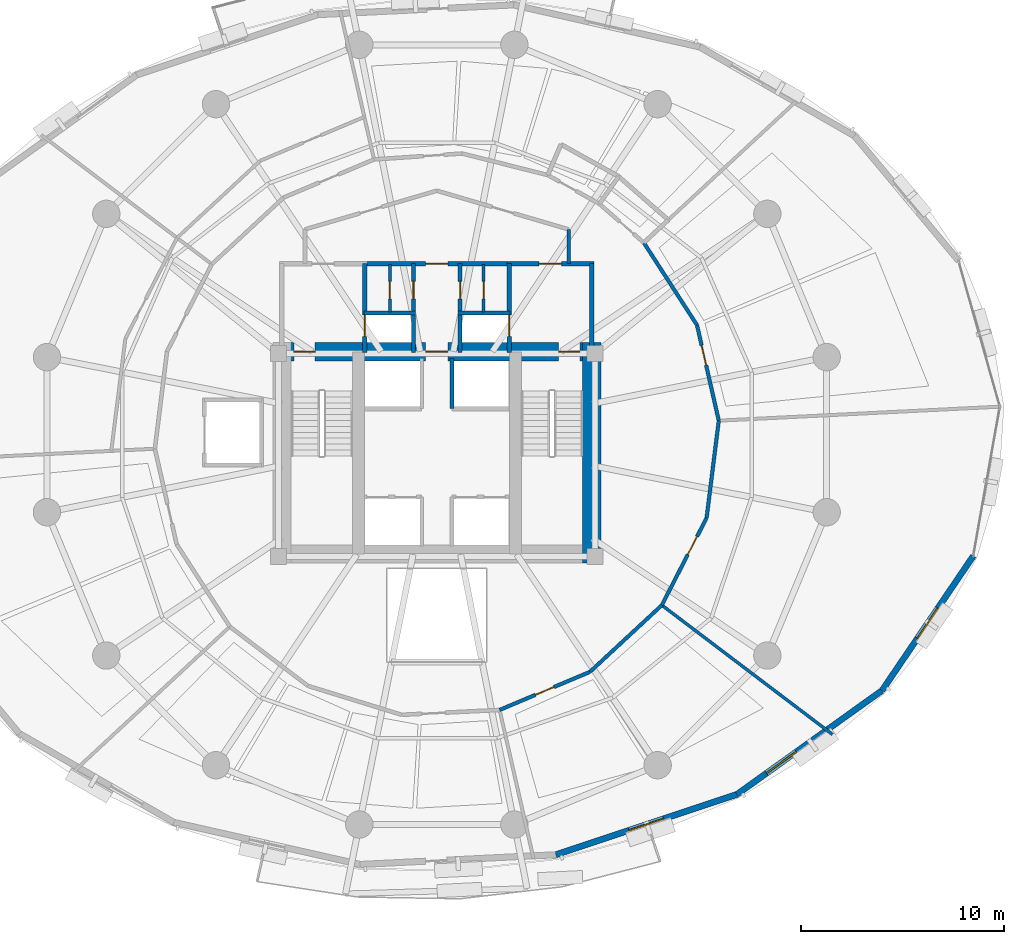
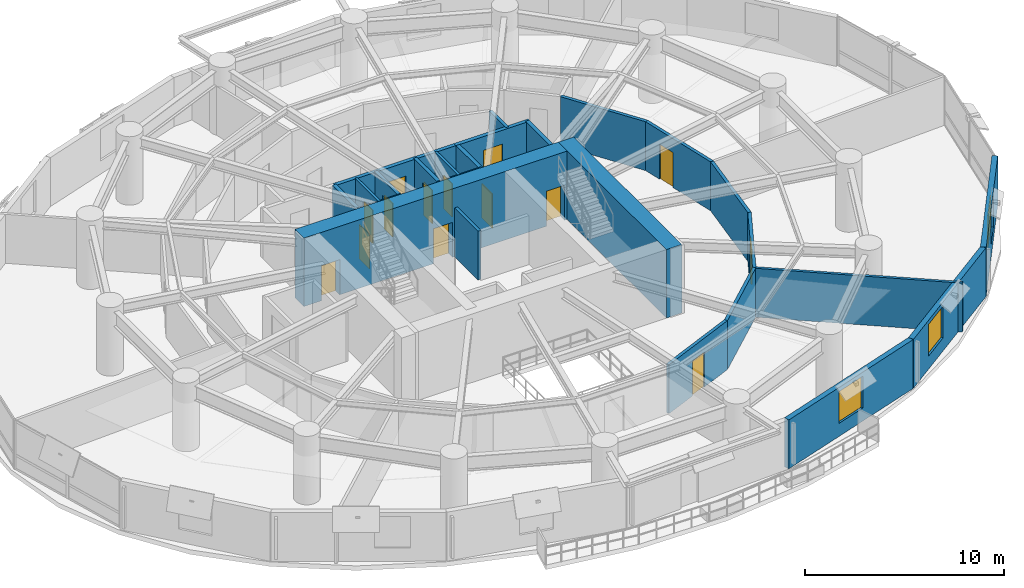
# One storey, part 11 of 16: 25 walls, 14 doors, 3 windows, 17 openings.
"""IFC4 building model written with IfcOpenShell, lengths in metres."""

from ifc_helpers import new_model, si_unit, direction, frame, frame_2d, origin, place, context, subcontext, project, spatial, rectangle, extrude, material, layer, layer_set, type_object, element, fill, save


model = new_model("IFC4")

# Units and contexts
model_context = context("Model", 3, precision=1e-05, world=origin(), true_north=direction((0.0, 1.0)))
body_context = subcontext(model_context, "Body", "Model", "MODEL_VIEW")
ifc_project = project(units=[si_unit("LENGTHUNIT", "METRE"), si_unit("AREAUNIT", "SQUARE_METRE"), si_unit("VOLUMEUNIT", "CUBIC_METRE"), si_unit("PLANEANGLEUNIT", "RADIAN"), si_unit("MASSUNIT", "GRAM", prefix="KILO"), si_unit("THERMODYNAMICTEMPERATUREUNIT", "KELVIN"), si_unit("POWERUNIT", "WATT")], contexts=[model_context])

# Site, building, storey
site_placement = place(None, origin())
site = spatial("IfcSite", under=ifc_project, at=site_placement, CompositionType="ELEMENT")
building_placement = place(site_placement, origin())
building = spatial("IfcBuilding", under=site, at=building_placement, Name="Ocrelia Relay Tower", CompositionType="ELEMENT")
storey_placement = place(building_placement, frame((0.0, 0.0, 42.60009765625)))
storey = spatial("IfcBuildingStorey", under=building, at=storey_placement, Name="L09", CompositionType="ELEMENT", Elevation=42.60009765625)

# Wall, openings, doors
ifc_material_1 = material(Name="Concrete C70/85", Category="concrete")
ifc_layer_1 = layer(ifc_material_1, 0.89990234375, Name="Concrete C70/85")
ifc_layer_set_1 = layer_set([ifc_layer_1], Name="Concrete C70/85")
wall_type_1 = type_object("IfcWallType", Name="CW-CORE-900", PredefinedType="SHEAR", material=ifc_layer_set_1)
wall_1_placement = place(storey_placement, frame((25.922119140625, 30.087890625, 0.0), z_axis=(0.0, 0.0, 1.0), x_axis=(1.0, 0.0, 0.0)))
wall_1 = element("IfcWall", 1, at=wall_1_placement, inside=storey, type_object=wall_type_1, Name="L09 Core Shear Wall N", PredefinedType="SHEAR", context=body_context, shape_type="SweptSolid", body=[
    extrude(rectangle(XDim=16.165771484375, YDim=0.89990234375, at=frame_2d((8.0830078125, 0.0))), origin(), (0.0, 0.0, 1.0), 4.199951171875),
])
opening_1_placement = place(wall_1_placement, frame((1.028076171875, 0.0, 0.0)))
opening_1 = element("IfcOpeningElement", 2, at=opening_1_placement, cuts=wall_1, Name="Opening D-FD90", PredefinedType="OPENING", context=body_context, shape_type="SweptSolid", body=[
    extrude(rectangle(XDim=1.050048828125, YDim=2.14990234375, at=frame_2d((0.52490234375, 1.074951171875))), frame((0.0, 0.4599609375, 0.0), z_axis=(0.0, -1.0, 0.0), x_axis=(1.0, 0.0, 0.0)), (0.0, 0.0, 1.0), 0.919921875),
])
opening_2_placement = place(wall_1_placement, frame((14.077880859375, 0.0, 0.0)))
opening_2 = element("IfcOpeningElement", 3, at=opening_2_placement, cuts=wall_1, Name="Opening D-FD90", PredefinedType="OPENING", context=body_context, shape_type="SweptSolid", body=[
    extrude(rectangle(XDim=1.050048828125, YDim=2.14990234375, at=frame_2d((0.52490234375, 1.074951171875))), frame((0.0, 0.4599609375, 0.0), z_axis=(0.0, -1.0, 0.0), x_axis=(1.0, 0.0, 0.0)), (0.0, 0.0, 1.0), 0.919921875),
])
opening_3_placement = place(wall_1_placement, frame((7.528076171875, 0.0, 0.0)))
opening_3 = element("IfcOpeningElement", 4, at=opening_3_placement, cuts=wall_1, Name="Opening D-FD60", PredefinedType="OPENING", context=body_context, shape_type="SweptSolid", body=[
    extrude(rectangle(XDim=1.10009765625, YDim=2.14990234375, at=frame_2d((0.550048828125, 1.074951171875))), frame((0.0, 0.4599609375, 0.0), z_axis=(0.0, -1.0, 0.0), x_axis=(1.0, 0.0, 0.0)), (0.0, 0.0, 1.0), 0.919921875),
])
ifc_material_2 = material(Name="Timber-core 60-min acoustic fire door", Category="wood")
door_type_1 = type_object("IfcDoorType", Name="DR-LOBBY-FD60-1100", OperationType="NOTDEFINED", PredefinedType="DOOR", material=ifc_material_2)
door_1_placement = place(opening_3_placement, origin())
door_1 = element("IfcDoor", 5, at=door_1_placement, inside=storey, type_object=door_type_1, Name="L09 Core Lift Lobby North Fire Door", OperationType="SINGLE_SWING_RIGHT", OverallHeight=2.14990234375, OverallWidth=1.10009765625, PredefinedType="DOOR", context=body_context, shape_type="SweptSolid", body=[
    extrude(rectangle(XDim=1.10009765625, YDim=2.14990234375, at=frame_2d((0.550048828125, 1.074951171875))), frame((0.0, 0.02490234375, 0.0), z_axis=(0.0, -1.0, 0.0), x_axis=(1.0, 0.0, 0.0)), (0.0, 0.0, 1.0), 0.050048828125),
])
fill(opening_3, door_1)
ifc_material_3 = material(Name="Steel S355 90-min fire door", Category="steel")
door_type_2 = type_object("IfcDoorType", Name="DR-STAIR-FD90-1050", OperationType="NOTDEFINED", PredefinedType="DOOR", material=ifc_material_3)
door_2_placement = place(opening_1_placement, origin())
door_2 = element("IfcDoor", 6, at=door_2_placement, inside=storey, type_object=door_type_2, Name="L09 Stair ST1 Fire Door", OperationType="SINGLE_SWING_RIGHT", OverallHeight=2.14990234375, OverallWidth=1.050048828125, PredefinedType="DOOR", context=body_context, shape_type="SweptSolid", body=[
    extrude(rectangle(XDim=1.050048828125, YDim=2.14990234375, at=frame_2d((0.52490234375, 1.074951171875))), frame((0.0, 0.02490234375, 0.0), z_axis=(0.0, -1.0, 0.0), x_axis=(1.0, 0.0, 0.0)), (0.0, 0.0, 1.0), 0.050048828125),
])
fill(opening_1, door_2)
door_3_placement = place(opening_2_placement, origin())
door_3 = element("IfcDoor", 7, at=door_3_placement, inside=storey, type_object=door_type_2, Name="L09 Stair ST2 Fire Door", OperationType="SINGLE_SWING_LEFT", OverallHeight=2.14990234375, OverallWidth=1.050048828125, PredefinedType="DOOR", context=body_context, shape_type="SweptSolid", body=[
    extrude(rectangle(XDim=1.050048828125, YDim=2.14990234375, at=frame_2d((0.52490234375, 1.074951171875))), frame((0.0, 0.02490234375, 0.0), z_axis=(0.0, -1.0, 0.0), x_axis=(1.0, 0.0, 0.0)), (0.0, 0.0, 1.0), 0.050048828125),
])
fill(opening_2, door_3)

# Walls
wall_2_placement = place(storey_placement, frame((41.637939453125, 19.662109375, 0.0), z_axis=(0.0, 0.0, 1.0), x_axis=(0.0, 1.0, 0.0)))
element("IfcWall", 8, at=wall_2_placement, inside=storey, type_object=wall_type_1, Name="L09 Core Shear Wall E", PredefinedType="SHEAR", context=body_context, shape_type="SweptSolid", body=[
    extrude(rectangle(XDim=10.8759765625, YDim=0.89990234375, at=frame_2d((5.43798828125, 0.0))), origin(), (0.0, 0.0, 1.0), 4.199951171875),
])
ifc_material_4 = material(Name="Gypsum Fireboard Partition EI60", Category="gypsum")
ifc_layer_2 = layer(ifc_material_4, 0.179931640625, Name="Gypsum Fireboard Partition EI60")
ifc_layer_set_2 = layer_set([ifc_layer_2], Name="Gypsum Fireboard Partition EI60")
wall_type_2 = type_object("IfcWallType", Name="W-CORR-EI60-180", PredefinedType="PARTITIONING", material=ifc_layer_set_2)
wall_3_placement = place(storey_placement, frame((40.5, 36.122802734375, 0.0), z_axis=(0.0, 0.0, 1.0), x_axis=(0.0, -1.0, 0.0)))
element("IfcWall", 9, at=wall_3_placement, inside=storey, type_object=wall_type_2, Name="L09 Smoke Lobby East Return", PredefinedType="PARTITIONING", context=body_context, shape_type="SweptSolid", body=[
    extrude(rectangle(XDim=1.69287109375, YDim=0.179931640625, at=frame_2d((0.846435546875, 0.0))), origin(), (0.0, 0.0, 1.0), 3.0),
])

# Wall, opening, door
wall_4_placement = place(storey_placement, frame((37.095703125, 12.4287109375, 0.0), z_axis=(0.0, 0.0, 1.0), x_axis=(0.921533629475, 0.388298557488, 0.0)))
wall_4 = element("IfcWall", 10, at=wall_4_placement, inside=storey, type_object=wall_type_2, Name="L09 Monitoring Office E Corridor Partition 1", PredefinedType="PARTITIONING", context=body_context, shape_type="SweptSolid", body=[
    extrude(rectangle(XDim=4.83447265625, YDim=0.179931640625, at=frame_2d((2.417236328125, 0.0))), origin(), (0.0, 0.0, 1.0), 3.0),
])
opening_4_placement = place(wall_4_placement, frame((1.917236328125, 0.0, 0.0)))
opening_4 = element("IfcOpeningElement", 11, at=opening_4_placement, cuts=wall_4, Name="Opening D-RM100", PredefinedType="OPENING", context=body_context, shape_type="SweptSolid", body=[
    extrude(rectangle(XDim=1.0, YDim=2.14990234375, at=frame_2d((0.5, 1.074951171875))), frame((0.0, 0.10009765625, 0.0), z_axis=(0.0, -1.0, 0.0), x_axis=(1.0, 0.0, 0.0)), (0.0, 0.0, 1.0), 0.199951171875),
])
ifc_material_5 = material(Name="Acoustic oak veneer fire door", Category="wood")
door_type_3 = type_object("IfcDoorType", Name="DR-ROOM-FD60-1000", OperationType="NOTDEFINED", PredefinedType="DOOR", material=ifc_material_5)
door_4_placement = place(opening_4_placement, origin())
door_4 = element("IfcDoor", 12, at=door_4_placement, inside=storey, type_object=door_type_3, Name="L09 Monitoring Office E Entrance Door", OperationType="SINGLE_SWING_LEFT", OverallHeight=2.14990234375, OverallWidth=1.0, PredefinedType="DOOR", context=body_context, shape_type="SweptSolid", body=[
    extrude(rectangle(XDim=1.0, YDim=2.14990234375, at=frame_2d((0.5, 1.074951171875))), frame((0.0, 0.02490234375, 0.0), z_axis=(0.0, -1.0, 0.0), x_axis=(1.0, 0.0, 0.0)), (0.0, 0.0, 1.0), 0.050048828125),
])
fill(opening_4, door_4)

# Wall
wall_5_placement = place(storey_placement, frame((41.55078125, 14.305908203125, 0.0), z_axis=(0.0, 0.0, 1.0), x_axis=(0.733122561519, 0.680096544464, 0.0)))
element("IfcWall", 13, at=wall_5_placement, inside=storey, type_object=wall_type_2, Name="L09 Monitoring Office E Corridor Partition 2", PredefinedType="PARTITIONING", context=body_context, shape_type="SweptSolid", body=[
    extrude(rectangle(XDim=4.83447265625, YDim=0.179931640625, at=frame_2d((2.417236328125, 0.0))), origin(), (0.0, 0.0, 1.0), 3.0),
])

# Wall, opening, door
wall_6_placement = place(storey_placement, frame((45.094970703125, 17.59375, 0.0), z_axis=(0.0, 0.0, 1.0), x_axis=(0.45634125461, 0.889804843402, 0.0)))
wall_6 = element("IfcWall", 14, at=wall_6_placement, inside=storey, type_object=wall_type_2, Name="L09 Fiber Patch Store Corridor Partition 1", PredefinedType="PARTITIONING", context=body_context, shape_type="SweptSolid", body=[
    extrude(rectangle(XDim=4.834228515625, YDim=0.179931640625, at=frame_2d((2.4169921875, 0.0))), origin(), (0.0, 0.0, 1.0), 3.0),
])
opening_5_placement = place(wall_6_placement, frame((2.80078125, 0.0, 0.0)))
opening_5 = element("IfcOpeningElement", 15, at=opening_5_placement, cuts=wall_6, Name="Opening D-RM100", PredefinedType="OPENING", context=body_context, shape_type="SweptSolid", body=[
    extrude(rectangle(XDim=1.0, YDim=2.14990234375, at=frame_2d((0.5, 1.074951171875))), frame((0.0, 0.10009765625, 0.0), z_axis=(0.0, -1.0, 0.0), x_axis=(1.0, 0.0, 0.0)), (0.0, 0.0, 1.0), 0.199951171875),
])
door_5_placement = place(opening_5_placement, origin())
door_5 = element("IfcDoor", 16, at=door_5_placement, inside=storey, type_object=door_type_3, Name="L09 Fiber Patch Store Entrance Door", OperationType="SINGLE_SWING_RIGHT", OverallHeight=2.14990234375, OverallWidth=1.0, PredefinedType="DOOR", context=body_context, shape_type="SweptSolid", body=[
    extrude(rectangle(XDim=1.0, YDim=2.14990234375, at=frame_2d((0.5, 1.074951171875))), frame((0.0, 0.02490234375, 0.0), z_axis=(0.0, -1.0, 0.0), x_axis=(1.0, 0.0, 0.0)), (0.0, 0.0, 1.0), 0.050048828125),
])
fill(opening_5, door_5)

# Wall
wall_7_placement = place(storey_placement, frame((47.301025390625, 21.895263671875, 0.0), z_axis=(0.0, 0.0, 1.0), x_axis=(0.124482228692, 0.992221837464, 0.0)))
element("IfcWall", 17, at=wall_7_placement, inside=storey, type_object=wall_type_2, Name="L09 Fiber Patch Store Corridor Partition 2", PredefinedType="PARTITIONING", context=body_context, shape_type="SweptSolid", body=[
    extrude(rectangle(XDim=4.83447265625, YDim=0.179931640625, at=frame_2d((2.417236328125, 0.0))), origin(), (0.0, 0.0, 1.0), 3.0),
])

# Wall, opening, door
wall_8_placement = place(storey_placement, frame((47.90283203125, 26.692138671875, 0.0), z_axis=(0.0, 0.0, 1.0), x_axis=(-0.222402444604, 0.974954949028, 0.0)))
wall_8 = element("IfcWall", 18, at=wall_8_placement, inside=storey, type_object=wall_type_2, Name="L09 Shift Staff Lounge Corridor Partition 1", PredefinedType="PARTITIONING", context=body_context, shape_type="SweptSolid", body=[
    extrude(rectangle(XDim=4.83447265625, YDim=0.179931640625, at=frame_2d((2.417236328125, 0.0))), origin(), (0.0, 0.0, 1.0), 3.0),
])
opening_6_placement = place(wall_8_placement, frame((2.80078125, 0.0, 0.0)))
opening_6 = element("IfcOpeningElement", 19, at=opening_6_placement, cuts=wall_8, Name="Opening D-RM100", PredefinedType="OPENING", context=body_context, shape_type="SweptSolid", body=[
    extrude(rectangle(XDim=1.0, YDim=2.14990234375, at=frame_2d((0.5, 1.074951171875))), frame((0.0, 0.10009765625, 0.0), z_axis=(0.0, -1.0, 0.0), x_axis=(1.0, 0.0, 0.0)), (0.0, 0.0, 1.0), 0.199951171875),
])
door_6_placement = place(opening_6_placement, origin())
door_6 = element("IfcDoor", 20, at=door_6_placement, inside=storey, type_object=door_type_3, Name="L09 Shift Staff Lounge Entrance Door", OperationType="SINGLE_SWING_LEFT", OverallHeight=2.14990234375, OverallWidth=1.0, PredefinedType="DOOR", context=body_context, shape_type="SweptSolid", body=[
    extrude(rectangle(XDim=1.0, YDim=2.14990234375, at=frame_2d((0.5, 1.074951171875))), frame((0.0, 0.02490234375, 0.0), z_axis=(0.0, -1.0, 0.0), x_axis=(1.0, 0.0, 0.0)), (0.0, 0.0, 1.0), 0.050048828125),
])
fill(opening_6, door_6)

# Wall
wall_9_placement = place(storey_placement, frame((46.82763671875, 31.405517578125, 0.0), z_axis=(0.0, 0.0, 1.0), x_axis=(-0.542438562589, 0.840095474227, 0.0)))
element("IfcWall", 21, at=wall_9_placement, inside=storey, type_object=wall_type_2, Name="L09 Shift Staff Lounge Corridor Partition 2", PredefinedType="PARTITIONING", context=body_context, shape_type="SweptSolid", body=[
    extrude(rectangle(XDim=4.834228515625, YDim=0.179931640625, at=frame_2d((2.4169921875, 0.0))), origin(), (0.0, 0.0, 1.0), 3.0),
])

# Wall, opening, window
ifc_material_6 = material(Name="Precast concrete C40/50 with oxide terracotta", Category="masonry")
ifc_layer_3 = layer(ifc_material_6, 0.300048828125, Name="Precast concrete C40/50 with oxide terracotta")
ifc_layer_set_3 = layer_set([ifc_layer_3], Name="Precast concrete C40/50 with oxide terracotta")
wall_type_3 = type_object("IfcWallType", Name="W-EXT-TERR-300", PredefinedType="SOLIDWALL", material=ifc_layer_set_3)
wall_10_placement = place(storey_placement, frame((39.864501953125, 5.28955078125, 0.0), z_axis=(0.0, 0.0, 1.0), x_axis=(0.948698849343, 0.316181108314, 0.0)))
wall_10 = element("IfcWall", 22, at=wall_10_placement, inside=storey, type_object=wall_type_3, Name="L09 Oxide Terracotta Facade Wall 15", PredefinedType="SOLIDWALL", context=body_context, shape_type="SweptSolid", body=[
    extrude(rectangle(XDim=9.418701171875, YDim=0.300048828125, at=frame_2d((4.70947265625, 0.0))), origin(), (0.0, 0.0, 1.0), 3.0),
])
opening_7_placement = place(wall_10_placement, frame((3.80908203125, 0.0, 0.800048828125)))
opening_7 = element("IfcOpeningElement", 23, at=opening_7_placement, cuts=wall_10, Name="Opening W-02", PredefinedType="OPENING", context=body_context, shape_type="SweptSolid", body=[
    extrude(rectangle(XDim=1.800048828125, YDim=1.949951171875, at=frame_2d((0.89990234375, 0.97509765625))), frame((0.0, 0.16015625, 0.0), z_axis=(0.0, -1.0, 0.0), x_axis=(1.0, 0.0, 0.0)), (0.0, 0.0, 1.0), 0.320068359375),
])
ifc_material_7 = material(Name="Clear double-glazed low-E glass", Category="glass")
window_type = type_object("IfcWindowType", Name="WIN-Z1-1800x2100", PartitioningType="DOUBLE_PANEL_VERTICAL", PredefinedType="WINDOW", material=ifc_material_7)
window_1_placement = place(opening_7_placement, origin())
window_1 = element("IfcWindow", 24, at=window_1_placement, inside=storey, type_object=window_type, Name="L09 Facade Module Window 15", OverallHeight=1.949951171875, OverallWidth=1.800048828125, PartitioningType="SINGLE_PANEL", PredefinedType="WINDOW", context=body_context, shape_type="SweptSolid", body=[
    extrude(rectangle(XDim=1.800048828125, YDim=1.949951171875, at=frame_2d((0.89990234375, 0.97509765625))), frame((0.0, 0.030029296875, 0.0), z_axis=(0.0, -1.0, 0.0), x_axis=(1.0, 0.0, 0.0)), (0.0, 0.0, 1.0), 0.06005859375),
])
fill(opening_7, window_1)

wall_11_placement = place(storey_placement, frame((48.800048828125, 8.267578125, 0.0), z_axis=(0.0, 0.0, 1.0), x_axis=(0.813220978615, 0.581955015392, 0.0)))
wall_11 = element("IfcWall", 25, at=wall_11_placement, inside=storey, type_object=wall_type_3, Name="L09 Oxide Terracotta Facade Wall 16", PredefinedType="SOLIDWALL", context=body_context, shape_type="SweptSolid", body=[
    extrude(rectangle(XDim=8.792724609375, YDim=0.300048828125, at=frame_2d((4.396484375, 0.0))), origin(), (0.0, 0.0, 1.0), 3.0),
])
opening_8_placement = place(wall_11_placement, frame((1.7900390625, 0.0, 0.800048828125)))
opening_8 = element("IfcOpeningElement", 26, at=opening_8_placement, cuts=wall_11, Name="Opening W-02", PredefinedType="OPENING", context=body_context, shape_type="SweptSolid", body=[
    extrude(rectangle(XDim=1.800048828125, YDim=1.949951171875, at=frame_2d((0.89990234375, 0.97509765625))), frame((0.0, 0.16015625, 0.0), z_axis=(0.0, -1.0, 0.0), x_axis=(1.0, 0.0, 0.0)), (0.0, 0.0, 1.0), 0.320068359375),
])
window_2_placement = place(opening_8_placement, origin())
window_2 = element("IfcWindow", 27, at=window_2_placement, inside=storey, type_object=window_type, Name="L09 Facade Module Window 16", OverallHeight=1.949951171875, OverallWidth=1.800048828125, PartitioningType="SINGLE_PANEL", PredefinedType="WINDOW", context=body_context, shape_type="SweptSolid", body=[
    extrude(rectangle(XDim=1.800048828125, YDim=1.949951171875, at=frame_2d((0.89990234375, 0.97509765625))), frame((0.0, 0.030029296875, 0.0), z_axis=(0.0, -1.0, 0.0), x_axis=(1.0, 0.0, 0.0)), (0.0, 0.0, 1.0), 0.06005859375),
])
fill(opening_8, window_2)

wall_12_placement = place(storey_placement, frame((55.950439453125, 13.384521484375, 0.0), z_axis=(0.0, 0.0, 1.0), x_axis=(0.561354786865, 0.827575255348, 0.0)))
wall_12 = element("IfcWall", 28, at=wall_12_placement, inside=storey, type_object=wall_type_3, Name="L09 Oxide Terracotta Facade Wall 17", PredefinedType="SOLIDWALL", context=body_context, shape_type="SweptSolid", body=[
    extrude(rectangle(XDim=8.021484375, YDim=0.300048828125, at=frame_2d((4.0107421875, 0.0))), origin(), (0.0, 0.0, 1.0), 3.0),
])
opening_9_placement = place(wall_12_placement, frame((3.111083984375, 0.0, 0.800048828125)))
opening_9 = element("IfcOpeningElement", 29, at=opening_9_placement, cuts=wall_12, Name="Opening W-02", PredefinedType="OPENING", context=body_context, shape_type="SweptSolid", body=[
    extrude(rectangle(XDim=1.800048828125, YDim=1.949951171875, at=frame_2d((0.89990234375, 0.97509765625))), frame((0.0, 0.16015625, 0.0), z_axis=(0.0, -1.0, 0.0), x_axis=(1.0, 0.0, 0.0)), (0.0, 0.0, 1.0), 0.320068359375),
])
window_3_placement = place(opening_9_placement, origin())
window_3 = element("IfcWindow", 30, at=window_3_placement, inside=storey, type_object=window_type, Name="L09 Facade Module Window 17", OverallHeight=1.949951171875, OverallWidth=1.800048828125, PartitioningType="SINGLE_PANEL", PredefinedType="WINDOW", context=body_context, shape_type="SweptSolid", body=[
    extrude(rectangle(XDim=1.800048828125, YDim=1.949951171875, at=frame_2d((0.89990234375, 0.97509765625))), frame((0.0, 0.030029296875, 0.0), z_axis=(0.0, -1.0, 0.0), x_axis=(1.0, 0.0, 0.0)), (0.0, 0.0, 1.0), 0.06005859375),
])
fill(opening_9, window_3)

# Wall, opening, door
ifc_material_8 = material(Name="Concrete C50/60", Category="concrete")
ifc_layer_4 = layer(ifc_material_8, 0.219970703125, Name="Concrete C50/60")
ifc_layer_set_4 = layer_set([ifc_layer_4], Name="Concrete C50/60")
wall_type_4 = type_object("IfcWallType", Name="W-FFL-EI120-220", PredefinedType="SOLIDWALL", material=ifc_layer_set_4)
wall_13_placement = place(storey_placement, frame((30.43994140625, 30.050048828125, 0.0), z_axis=(0.0, 0.0, 1.0), x_axis=(0.0, 1.0, 0.0)))
wall_13 = element("IfcWall", 31, at=wall_13_placement, inside=storey, type_object=wall_type_4, Name="L09 W Fire Service Lift Lobby East Wall", PredefinedType="SOLIDWALL", context=body_context, shape_type="SweptSolid", body=[
    extrude(rectangle(XDim=4.3798828125, YDim=0.219970703125, at=frame_2d((2.18994140625, 0.0))), origin(), (0.0, 0.0, 1.0), 3.0),
])
opening_10_placement = place(wall_13_placement, frame((0.800048828125, 0.0, 0.0)))
opening_10 = element("IfcOpeningElement", 32, at=opening_10_placement, cuts=wall_13, Name="Opening LD-FFL1", PredefinedType="OPENING", context=body_context, shape_type="SweptSolid", body=[
    extrude(rectangle(XDim=1.050048828125, YDim=2.10009765625, at=frame_2d((0.52490234375, 1.050048828125))), frame((0.0, 0.1201171875, 0.0), z_axis=(0.0, -1.0, 0.0), x_axis=(1.0, 0.0, 0.0)), (0.0, 0.0, 1.0), 0.239990234375),
])
ifc_material_9 = material(Name="Brushed stainless steel S355 lift landing door", Category="steel")
door_type_4 = type_object("IfcDoorType", Name="DR-LIFT-LAND-1050", OperationType="DOUBLE_DOOR_SLIDING", PredefinedType="USERDEFINED", material=ifc_material_9)
door_7_placement = place(opening_10_placement, origin())
door_7 = element("IfcDoor", 33, at=door_7_placement, inside=storey, type_object=door_type_4, Name="L09 Firefighting Lift FFL1 Sliding Landing Door", ObjectType="LANDING DOOR", OperationType="DOUBLE_DOOR_SLIDING", OverallHeight=2.10009765625, OverallWidth=1.050048828125, PredefinedType="USERDEFINED", context=body_context, shape_type="SweptSolid", body=[
    extrude(rectangle(XDim=1.050048828125, YDim=2.10009765625, at=frame_2d((0.52490234375, 1.050048828125))), frame((0.0, 0.02490234375, 0.0), z_axis=(0.0, -1.0, 0.0), x_axis=(1.0, 0.0, 0.0)), (0.0, 0.0, 1.0), 0.050048828125),
])
fill(opening_10, door_7)

wall_14_placement = place(storey_placement, frame((37.56005859375, 30.050048828125, 0.0), z_axis=(0.0, 0.0, 1.0), x_axis=(0.0, 1.0, 0.0)))
wall_14 = element("IfcWall", 34, at=wall_14_placement, inside=storey, type_object=wall_type_4, Name="L09 E Fire Service Lift Lobby West Wall", PredefinedType="SOLIDWALL", context=body_context, shape_type="SweptSolid", body=[
    extrude(rectangle(XDim=4.3798828125, YDim=0.219970703125, at=frame_2d((2.18994140625, 0.0))), origin(), (0.0, 0.0, 1.0), 3.0),
])
opening_11_placement = place(wall_14_placement, frame((0.800048828125, 0.0, 0.0)))
opening_11 = element("IfcOpeningElement", 35, at=opening_11_placement, cuts=wall_14, Name="Opening LD-FFL2", PredefinedType="OPENING", context=body_context, shape_type="SweptSolid", body=[
    extrude(rectangle(XDim=1.050048828125, YDim=2.10009765625, at=frame_2d((0.52490234375, 1.050048828125))), frame((0.0, 0.1201171875, 0.0), z_axis=(0.0, -1.0, 0.0), x_axis=(1.0, 0.0, 0.0)), (0.0, 0.0, 1.0), 0.239990234375),
])
door_8_placement = place(opening_11_placement, origin())
door_8 = element("IfcDoor", 36, at=door_8_placement, inside=storey, type_object=door_type_4, Name="L09 Firefighting Lift FFL2 Sliding Landing Door", ObjectType="LANDING DOOR", OperationType="DOUBLE_DOOR_SLIDING", OverallHeight=2.10009765625, OverallWidth=1.050048828125, PredefinedType="USERDEFINED", context=body_context, shape_type="SweptSolid", body=[
    extrude(rectangle(XDim=1.050048828125, YDim=2.10009765625, at=frame_2d((0.52490234375, 1.050048828125))), frame((0.0, 0.02490234375, 0.0), z_axis=(0.0, -1.0, 0.0), x_axis=(1.0, 0.0, 0.0)), (0.0, 0.0, 1.0), 0.050048828125),
])
fill(opening_11, door_8)

# Wall
wall_15_placement = place(storey_placement, frame((41.64990234375, 30.050048828125, 0.0), z_axis=(0.0, 0.0, 1.0), x_axis=(0.0, 1.0, 0.0)))
element("IfcWall", 37, at=wall_15_placement, inside=storey, type_object=wall_type_4, Name="L09 E Fire Service Lift Lobby East Wall", PredefinedType="SOLIDWALL", context=body_context, shape_type="SweptSolid", body=[
    extrude(rectangle(XDim=4.3798828125, YDim=0.219970703125, at=frame_2d((2.18994140625, 0.0))), origin(), (0.0, 0.0, 1.0), 3.0),
])

# Wall, opening, door
wall_16_placement = place(storey_placement, frame((37.449951171875, 34.429931640625, 0.0), z_axis=(0.0, 0.0, 1.0), x_axis=(1.0, 0.0, 0.0)))
wall_16 = element("IfcWall", 38, at=wall_16_placement, inside=storey, type_object=wall_type_4, Name="L09 E Fire Service Lift Lobby North Wall", PredefinedType="SOLIDWALL", context=body_context, shape_type="SweptSolid", body=[
    extrude(rectangle(XDim=4.31005859375, YDim=0.219970703125, at=frame_2d((2.155029296875, 0.0))), origin(), (0.0, 0.0, 1.0), 3.0),
])
opening_12_placement = place(wall_16_placement, frame((1.60009765625, 0.0, 0.0)))
opening_12 = element("IfcOpeningElement", 39, at=opening_12_placement, cuts=wall_16, Name="Opening D-FD60", PredefinedType="OPENING", context=body_context, shape_type="SweptSolid", body=[
    extrude(rectangle(XDim=1.10009765625, YDim=2.14990234375, at=frame_2d((0.550048828125, 1.074951171875))), frame((0.0, 0.1201171875, 0.0), z_axis=(0.0, -1.0, 0.0), x_axis=(1.0, 0.0, 0.0)), (0.0, 0.0, 1.0), 0.239990234375),
])
door_9_placement = place(opening_12_placement, origin())
door_9 = element("IfcDoor", 40, at=door_9_placement, inside=storey, type_object=door_type_1, Name="L09 E Fire Service Lift Lobby Exit Door", OperationType="SINGLE_SWING_LEFT", OverallHeight=2.14990234375, OverallWidth=1.10009765625, PredefinedType="DOOR", context=body_context, shape_type="SweptSolid", body=[
    extrude(rectangle(XDim=1.10009765625, YDim=2.14990234375, at=frame_2d((0.550048828125, 1.074951171875))), frame((0.0, 0.02490234375, 0.0), z_axis=(0.0, -1.0, 0.0), x_axis=(1.0, 0.0, 0.0)), (0.0, 0.0, 1.0), 0.050048828125),
])
fill(opening_12, door_9)

wall_17_placement = place(storey_placement, frame((30.43994140625, 34.429931640625, 0.0), z_axis=(0.0, 0.0, 1.0), x_axis=(1.0, 0.0, 0.0)))
wall_17 = element("IfcWall", 41, at=wall_17_placement, inside=storey, type_object=wall_type_4, Name="L09 North Core Vestibule Wall", PredefinedType="SOLIDWALL", context=body_context, shape_type="SweptSolid", body=[
    extrude(rectangle(XDim=7.1201171875, YDim=0.219970703125, at=frame_2d((3.56005859375, 0.0))), origin(), (0.0, 0.0, 1.0), 3.0),
])
opening_13_placement = place(wall_17_placement, frame((3.010009765625, 0.0, 0.0)))
opening_13 = element("IfcOpeningElement", 42, at=opening_13_placement, cuts=wall_17, Name="Opening D-FD60", PredefinedType="OPENING", context=body_context, shape_type="SweptSolid", body=[
    extrude(rectangle(XDim=1.10009765625, YDim=2.14990234375, at=frame_2d((0.550048828125, 1.074951171875))), frame((0.0, 0.1201171875, 0.0), z_axis=(0.0, -1.0, 0.0), x_axis=(1.0, 0.0, 0.0)), (0.0, 0.0, 1.0), 0.239990234375),
])
door_10_placement = place(opening_13_placement, origin())
door_10 = element("IfcDoor", 43, at=door_10_placement, inside=storey, type_object=door_type_1, Name="L09 North Core Vestibule Corridor Door", OperationType="SINGLE_SWING_LEFT", OverallHeight=2.14990234375, OverallWidth=1.10009765625, PredefinedType="DOOR", context=body_context, shape_type="SweptSolid", body=[
    extrude(rectangle(XDim=1.10009765625, YDim=2.14990234375, at=frame_2d((0.550048828125, 1.074951171875))), frame((0.0, 0.02490234375, 0.0), z_axis=(0.0, -1.0, 0.0), x_axis=(1.0, 0.0, 0.0)), (0.0, 0.0, 1.0), 0.050048828125),
])
fill(opening_13, door_10)

ifc_material_10 = material(Name="Acoustic Fireboard Partition EI60", Category="gypsum")
ifc_layer_5 = layer(ifc_material_10, 0.14990234375, Name="Acoustic Fireboard Partition EI60")
ifc_layer_set_5 = layer_set([ifc_layer_5], Name="Acoustic Fireboard Partition EI60")
wall_type_5 = type_object("IfcWallType", Name="W-PART-150", PredefinedType="PARTITIONING", material=ifc_layer_set_5)
wall_18_placement = place(storey_placement, frame((31.68994140625, 32.050048828125, 0.0), z_axis=(0.0, 0.0, 1.0), x_axis=(0.0, 1.0, 0.0)))
wall_18 = element("IfcWall", 44, at=wall_18_placement, inside=storey, type_object=wall_type_5, Name="L09 West Core Support Partition", PredefinedType="PARTITIONING", context=body_context, shape_type="SweptSolid", body=[
    extrude(rectangle(XDim=2.329833984375, YDim=0.14990234375, at=frame_2d((1.1650390625, 0.0))), origin(), (0.0, 0.0, 1.0), 3.0),
])
opening_14_placement = place(wall_18_placement, frame((0.64990234375, 0.0, 0.0)))
opening_14 = element("IfcOpeningElement", 45, at=opening_14_placement, cuts=wall_18, Name="Opening D-RS86", PredefinedType="OPENING", context=body_context, shape_type="SweptSolid", body=[
    extrude(rectangle(XDim=0.860107421875, YDim=2.050048828125, at=frame_2d((0.43017578125, 1.02490234375))), frame((0.0, 0.0849609375, 0.0), z_axis=(0.0, -1.0, 0.0), x_axis=(1.0, 0.0, 0.0)), (0.0, 0.0, 1.0), 0.169921875),
])
ifc_material_11 = material(Name="Steel S355 riser access fire door", Category="steel")
door_type_5 = type_object("IfcDoorType", Name="DR-RISER-TRAP-860", OperationType="NOTDEFINED", PredefinedType="TRAPDOOR", material=ifc_material_11)
door_11_placement = place(opening_14_placement, origin())
door_11 = element("IfcDoor", 46, at=door_11_placement, inside=storey, type_object=door_type_5, Name="L09 West Core Store Connecting Door", OperationType="SINGLE_SWING_RIGHT", OverallHeight=2.050048828125, OverallWidth=0.860107421875, PredefinedType="TRAPDOOR", context=body_context, shape_type="SweptSolid", body=[
    extrude(rectangle(XDim=0.860107421875, YDim=2.050048828125, at=frame_2d((0.43017578125, 1.02490234375))), frame((0.0, 0.02490234375, 0.0), z_axis=(0.0, -1.0, 0.0), x_axis=(1.0, 0.0, 0.0)), (0.0, 0.0, 1.0), 0.050048828125),
])
fill(opening_14, door_11)

wall_19_placement = place(storey_placement, frame((36.31005859375, 32.050048828125, 0.0), z_axis=(0.0, 0.0, 1.0), x_axis=(0.0, 1.0, 0.0)))
wall_19 = element("IfcWall", 47, at=wall_19_placement, inside=storey, type_object=wall_type_5, Name="L09 East Core Support Partition", PredefinedType="PARTITIONING", context=body_context, shape_type="SweptSolid", body=[
    extrude(rectangle(XDim=2.329833984375, YDim=0.14990234375, at=frame_2d((1.1650390625, 0.0))), origin(), (0.0, 0.0, 1.0), 3.0),
])
opening_15_placement = place(wall_19_placement, frame((0.64990234375, 0.0, 0.0)))
opening_15 = element("IfcOpeningElement", 48, at=opening_15_placement, cuts=wall_19, Name="Opening D-RS86", PredefinedType="OPENING", context=body_context, shape_type="SweptSolid", body=[
    extrude(rectangle(XDim=0.860107421875, YDim=2.050048828125, at=frame_2d((0.43017578125, 1.02490234375))), frame((0.0, 0.0849609375, 0.0), z_axis=(0.0, -1.0, 0.0), x_axis=(1.0, 0.0, 0.0)), (0.0, 0.0, 1.0), 0.169921875),
])
door_12_placement = place(opening_15_placement, origin())
door_12 = element("IfcDoor", 49, at=door_12_placement, inside=storey, type_object=door_type_5, Name="L09 East Core Store Connecting Door", OperationType="SINGLE_SWING_LEFT", OverallHeight=2.050048828125, OverallWidth=0.860107421875, PredefinedType="TRAPDOOR", context=body_context, shape_type="SweptSolid", body=[
    extrude(rectangle(XDim=0.860107421875, YDim=2.050048828125, at=frame_2d((0.43017578125, 1.02490234375))), frame((0.0, 0.02490234375, 0.0), z_axis=(0.0, -1.0, 0.0), x_axis=(1.0, 0.0, 0.0)), (0.0, 0.0, 1.0), 0.050048828125),
])
fill(opening_15, door_12)

# Walls
wall_20_placement = place(storey_placement, frame((45.094970703125, 17.59375, 0.0), z_axis=(0.0, 0.0, 1.0), x_axis=(0.79706649603, -0.603891547305, 0.0)))
element("IfcWall", 50, at=wall_20_placement, inside=storey, type_object=wall_type_5, Name="L09 Monitoring Office E Radial Partition", PredefinedType="PARTITIONING", context=body_context, shape_type="SweptSolid", body=[
    extrude(rectangle(XDim=10.550537109375, YDim=0.14990234375, at=frame_2d((5.275390625, 0.0))), origin(), (0.0, 0.0, 1.0), 3.0),
])
ifc_layer_6 = layer(ifc_material_8, 0.199951171875, Name="Concrete C50/60")
ifc_layer_set_6 = layer_set([ifc_layer_6], Name="Concrete C50/60")
wall_type_6 = type_object("IfcWallType", Name="W-SHAFT-EI120-200", PredefinedType="SOLIDWALL", material=ifc_layer_set_6)
wall_21_placement = place(storey_placement, frame((30.39990234375, 32.0, 0.0), z_axis=(0.0, 0.0, 1.0), x_axis=(1.0, 0.0, 0.0)))
element("IfcWall", 51, at=wall_21_placement, inside=storey, type_object=wall_type_6, Name="L09 FFL1 Hoistway North Wall", PredefinedType="SOLIDWALL", context=body_context, shape_type="SweptSolid", body=[
    extrude(rectangle(XDim=2.550048828125, YDim=0.199951171875, at=frame_2d((1.27490234375, 0.0))), origin(), (0.0, 0.0, 1.0), 3.0),
])

# Wall, opening, door
wall_22_placement = place(storey_placement, frame((32.85009765625, 30.050048828125, 0.0), z_axis=(0.0, 0.0, 1.0), x_axis=(0.0, 1.0, 0.0)))
wall_22 = element("IfcWall", 52, at=wall_22_placement, inside=storey, type_object=wall_type_6, Name="L09 FFL1 and Service Vestibule Wall", PredefinedType="SOLIDWALL", context=body_context, shape_type="SweptSolid", body=[
    extrude(rectangle(XDim=4.3798828125, YDim=0.199951171875, at=frame_2d((2.18994140625, 0.0))), origin(), (0.0, 0.0, 1.0), 3.0),
])
opening_16_placement = place(wall_22_placement, frame((2.64990234375, 0.0, 0.0)))
opening_16 = element("IfcOpeningElement", 53, at=opening_16_placement, cuts=wall_22, Name="Opening D-RS86", PredefinedType="OPENING", context=body_context, shape_type="SweptSolid", body=[
    extrude(rectangle(XDim=0.860107421875, YDim=2.050048828125, at=frame_2d((0.43017578125, 1.02490234375))), frame((0.0, 0.10986328125, 0.0), z_axis=(0.0, -1.0, 0.0), x_axis=(1.0, 0.0, 0.0)), (0.0, 0.0, 1.0), 0.219970703125),
])
door_13_placement = place(opening_16_placement, origin())
door_13 = element("IfcDoor", 54, at=door_13_placement, inside=storey, type_object=door_type_5, Name="L09 Core Support Room W Door", OperationType="SINGLE_SWING_RIGHT", OverallHeight=2.050048828125, OverallWidth=0.860107421875, PredefinedType="TRAPDOOR", context=body_context, shape_type="SweptSolid", body=[
    extrude(rectangle(XDim=0.860107421875, YDim=2.050048828125, at=frame_2d((0.43017578125, 1.02490234375))), frame((0.0, 0.02490234375, 0.0), z_axis=(0.0, -1.0, 0.0), x_axis=(1.0, 0.0, 0.0)), (0.0, 0.0, 1.0), 0.050048828125),
])
fill(opening_16, door_13)

# Wall
wall_23_placement = place(storey_placement, frame((35.050048828125, 32.0, 0.0), z_axis=(0.0, 0.0, 1.0), x_axis=(1.0, 0.0, 0.0)))
element("IfcWall", 55, at=wall_23_placement, inside=storey, type_object=wall_type_6, Name="L09 FFL2 Hoistway North Wall", PredefinedType="SOLIDWALL", context=body_context, shape_type="SweptSolid", body=[
    extrude(rectangle(XDim=2.550048828125, YDim=0.199951171875, at=frame_2d((1.27490234375, 0.0))), origin(), (0.0, 0.0, 1.0), 3.0),
])

# Wall, opening, door
wall_24_placement = place(storey_placement, frame((35.14990234375, 30.050048828125, 0.0), z_axis=(0.0, 0.0, 1.0), x_axis=(0.0, 1.0, 0.0)))
wall_24 = element("IfcWall", 56, at=wall_24_placement, inside=storey, type_object=wall_type_6, Name="L09 FFL2 and Service Vestibule Wall", PredefinedType="SOLIDWALL", context=body_context, shape_type="SweptSolid", body=[
    extrude(rectangle(XDim=4.3798828125, YDim=0.199951171875, at=frame_2d((2.18994140625, 0.0))), origin(), (0.0, 0.0, 1.0), 3.0),
])
opening_17_placement = place(wall_24_placement, frame((2.64990234375, 0.0, 0.0)))
opening_17 = element("IfcOpeningElement", 57, at=opening_17_placement, cuts=wall_24, Name="Opening D-RS86", PredefinedType="OPENING", context=body_context, shape_type="SweptSolid", body=[
    extrude(rectangle(XDim=0.860107421875, YDim=2.050048828125, at=frame_2d((0.43017578125, 1.02490234375))), frame((0.0, 0.10986328125, 0.0), z_axis=(0.0, -1.0, 0.0), x_axis=(1.0, 0.0, 0.0)), (0.0, 0.0, 1.0), 0.219970703125),
])
door_14_placement = place(opening_17_placement, origin())
door_14 = element("IfcDoor", 58, at=door_14_placement, inside=storey, type_object=door_type_5, Name="L09 Core Support Room E Door", OperationType="SINGLE_SWING_RIGHT", OverallHeight=2.050048828125, OverallWidth=0.860107421875, PredefinedType="TRAPDOOR", context=body_context, shape_type="SweptSolid", body=[
    extrude(rectangle(XDim=0.860107421875, YDim=2.050048828125, at=frame_2d((0.43017578125, 1.02490234375))), frame((0.0, 0.02490234375, 0.0), z_axis=(0.0, -1.0, 0.0), x_axis=(1.0, 0.0, 0.0)), (0.0, 0.0, 1.0), 0.050048828125),
])
fill(opening_17, door_14)

# Wall
wall_25_placement = place(storey_placement, frame((34.75, 27.280029296875, 0.0), z_axis=(0.0, 0.0, 1.0), x_axis=(0.0, 1.0, 0.0)))
element("IfcWall", 59, at=wall_25_placement, inside=storey, type_object=wall_type_6, Name="L09 High-Rise Lift Throat Wall E", PredefinedType="SOLIDWALL", context=body_context, shape_type="SweptSolid", body=[
    extrude(rectangle(XDim=2.469970703125, YDim=0.179931640625, at=frame_2d((1.23486328125, 0.0))), origin(), (0.0, 0.0, 1.0), 3.0),
])

save(model, "model.ifc")
